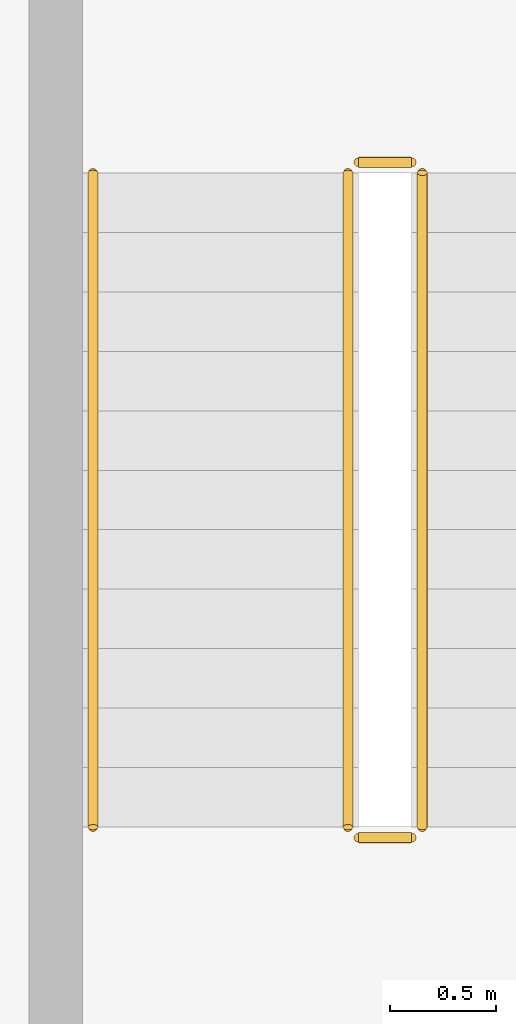
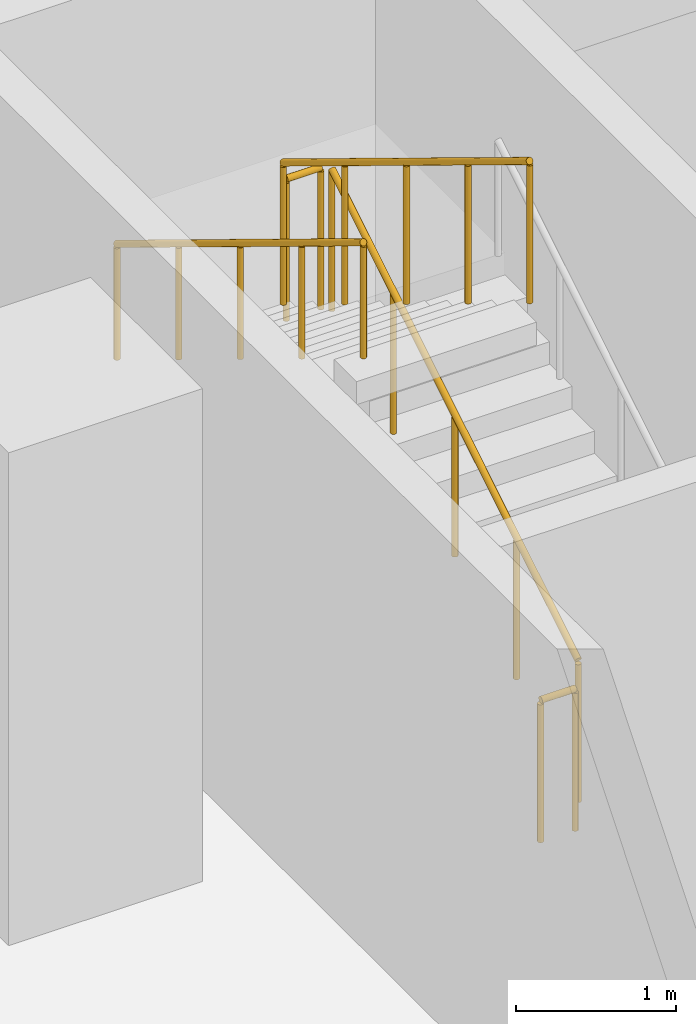
# One storey, part 26 of 29: 5 railings.
"""IFC4 building model written with IfcOpenShell, lengths in metres."""

from ifc_helpers import new_model, si_unit, direction, frame, origin, origin_2d, place, context, subcontext, project, spatial, circle, extrude, material, type_object, element, save


model = new_model("IFC4")

# Units and contexts
model_context = context("Model", 3, precision=1e-05, world=origin(), true_north=direction((0.0, 1.0)))
body_context = subcontext(model_context, "Body", "Model", "MODEL_VIEW")
ifc_project = project(units=[si_unit("LENGTHUNIT", "METRE"), si_unit("AREAUNIT", "SQUARE_METRE"), si_unit("VOLUMEUNIT", "CUBIC_METRE"), si_unit("PLANEANGLEUNIT", "RADIAN"), si_unit("MASSUNIT", "GRAM", prefix="KILO")], contexts=[model_context])

# Site, building, storey
site_placement = place(None, origin())
site = spatial("IfcSite", under=ifc_project, at=site_placement, CompositionType="ELEMENT")
building_placement = place(site_placement, origin())
building = spatial("IfcBuilding", under=site, at=building_placement, Name="Mahtab Terrace Research Tower", CompositionType="ELEMENT")
storey_placement = place(building_placement, frame((0.0, 0.0, 109.39990234375)))
storey = spatial("IfcBuildingStorey", under=building, at=storey_placement, Name="L25", CompositionType="ELEMENT", Elevation=109.39990234375)

# Railings
ifc_material = material(Name="Stainless steel AISI 304", Category="steel")
railing_type_1 = type_object("IfcRailingType", Name="Stair guard 1100", PredefinedType="GUARDRAIL", material=ifc_material)
railing_1_placement = place(storey_placement, frame((21.050048828125, 10.175048828125, 0.1708984375)))
element("IfcRailing", 1, at=railing_1_placement, inside=storey, type_object=railing_type_1, Name="L25 ST3 stair guard 1", PredefinedType="GUARDRAIL", context=body_context, shape_type="SweptSolid", body=[
    extrude(circle(Radius=0.02392578125, at=origin_2d()), frame((0.0, 0.0, 1.076171875), z_axis=(0.0, 0.853647949592, 0.520850437417), x_axis=(-1.0, 0.0, 0.0)), (0.0, 0.0, 1.0), 3.60791015625),
    extrude(circle(Radius=0.02099609375, at=origin_2d()), origin(), (0.0, 0.0, 1.0), 1.052001953125),
    extrude(circle(Radius=0.02099609375, at=origin_2d()), frame((0.0, 0.77001953125, 0.4697265625)), (0.0, 0.0, 1.0), 1.052001953125),
    extrude(circle(Radius=0.02099609375, at=origin_2d()), frame((0.0, 1.5400390625, 0.939453125)), (0.0, 0.0, 1.0), 1.052001953125),
    extrude(circle(Radius=0.02099609375, at=origin_2d()), frame((0.0, 2.309814453125, 1.409423828125)), (0.0, 0.0, 1.0), 1.052001953125),
    extrude(circle(Radius=0.02099609375, at=origin_2d()), frame((0.0, 3.079833984375, 1.879150390625)), (0.0, 0.0, 1.0), 1.052001953125),
])
railing_2_placement = place(storey_placement, frame((21.0, 13.304931640625, 2.050048828125)))
element("IfcRailing", 2, at=railing_2_placement, inside=storey, type_object=railing_type_1, Name="L25 ST3 stair guard 2", PredefinedType="GUARDRAIL", context=body_context, shape_type="SweptSolid", body=[
    extrude(circle(Radius=0.02392578125, at=origin_2d()), frame((0.0, 0.0, 1.076171875), z_axis=(-1.0, 0.0, 0.0), x_axis=(0.0, -1.0, 0.0)), (0.0, 0.0, 1.0), 0.25),
    extrude(circle(Radius=0.02099609375, at=origin_2d()), origin(), (0.0, 0.0, 1.0), 1.052001953125),
    extrude(circle(Radius=0.02099609375, at=origin_2d()), frame((-0.25, 0.0, 0.0)), (0.0, 0.0, 1.0), 1.052001953125),
])
railing_3_placement = place(storey_placement, frame((20.699951171875, 13.2548828125, 2.220947265625)))
element("IfcRailing", 3, at=railing_3_placement, inside=storey, type_object=railing_type_1, Name="L25 ST3 stair guard 3", PredefinedType="GUARDRAIL", context=body_context, shape_type="SweptSolid", body=[
    extrude(circle(Radius=0.02392578125, at=origin_2d()), frame((0.0, 0.0, 1.076171875), z_axis=(0.0, -0.853647949592, 0.520850437417), x_axis=(1.0, 0.0, 0.0)), (0.0, 0.0, 1.0), 3.60791015625),
    extrude(circle(Radius=0.02099609375, at=origin_2d()), origin(), (0.0, 0.0, 1.0), 1.052001953125),
    extrude(circle(Radius=0.02099609375, at=origin_2d()), frame((0.0, -0.77001953125, 0.4697265625)), (0.0, 0.0, 1.0), 1.052001953125),
    extrude(circle(Radius=0.02099609375, at=origin_2d()), frame((0.0, -1.5400390625, 0.939453125)), (0.0, 0.0, 1.0), 1.052001953125),
    extrude(circle(Radius=0.02099609375, at=origin_2d()), frame((0.0, -2.309814453125, 1.409423828125)), (0.0, 0.0, 1.0), 1.052001953125),
    extrude(circle(Radius=0.02099609375, at=origin_2d()), frame((0.0, -3.079833984375, 1.879150390625)), (0.0, 0.0, 1.0), 1.052001953125),
])
railing_4_placement = place(storey_placement, frame((21.0, 10.125, 0.0)))
element("IfcRailing", 4, at=railing_4_placement, inside=storey, type_object=railing_type_1, Name="L25 ST3 stair guard 4", PredefinedType="GUARDRAIL", context=body_context, shape_type="SweptSolid", body=[
    extrude(circle(Radius=0.02392578125, at=origin_2d()), frame((0.0, 0.0, 1.076171875), z_axis=(-1.0, 0.0, 0.0), x_axis=(0.0, -1.0, 0.0)), (0.0, 0.0, 1.0), 0.25),
    extrude(circle(Radius=0.02099609375, at=origin_2d()), origin(), (0.0, 0.0, 1.0), 1.052001953125),
    extrude(circle(Radius=0.02099609375, at=origin_2d()), frame((-0.25, 0.0, 0.0)), (0.0, 0.0, 1.0), 1.052001953125),
])
railing_type_2 = type_object("IfcRailingType", Name="Stair handrail 900", PredefinedType="HANDRAIL", material=ifc_material)
railing_5_placement = place(storey_placement, frame((19.5, 13.2548828125, 2.220947265625)))
element("IfcRailing", 5, at=railing_5_placement, inside=storey, type_object=railing_type_2, Name="L25 ST3 stair handrail 2", PredefinedType="HANDRAIL", context=body_context, shape_type="SweptSolid", body=[
    extrude(circle(Radius=0.02392578125, at=origin_2d()), frame((0.0, 0.0, 0.8759765625), z_axis=(0.0, -0.853647949592, 0.520850437417), x_axis=(1.0, 0.0, 0.0)), (0.0, 0.0, 1.0), 3.60791015625),
    extrude(circle(Radius=0.02099609375, at=origin_2d()), origin(), (0.0, 0.0, 1.0), 0.851806640625),
    extrude(circle(Radius=0.02099609375, at=origin_2d()), frame((0.0, -0.77001953125, 0.4697265625)), (0.0, 0.0, 1.0), 0.851806640625),
    extrude(circle(Radius=0.02099609375, at=origin_2d()), frame((0.0, -1.5400390625, 0.939453125)), (0.0, 0.0, 1.0), 0.851806640625),
    extrude(circle(Radius=0.02099609375, at=origin_2d()), frame((0.0, -2.309814453125, 1.409423828125)), (0.0, 0.0, 1.0), 0.851806640625),
    extrude(circle(Radius=0.02099609375, at=origin_2d()), frame((0.0, -3.079833984375, 1.879150390625)), (0.0, 0.0, 1.0), 0.851806640625),
])

save(model, "model.ifc")
